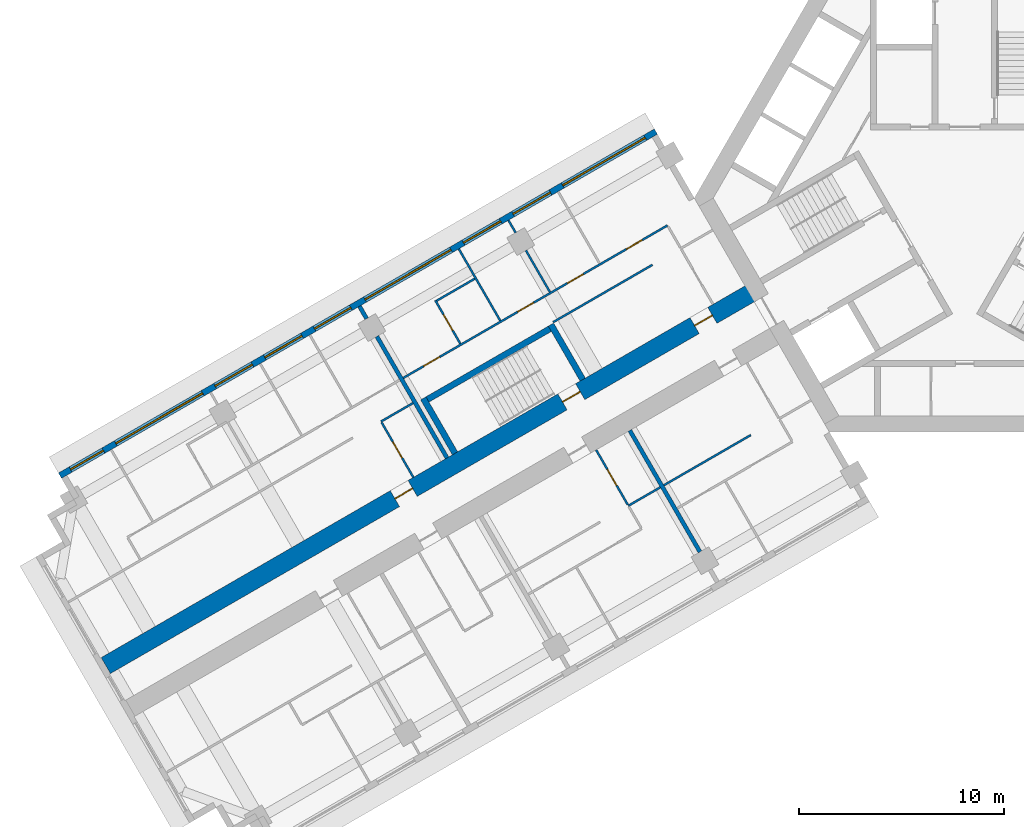
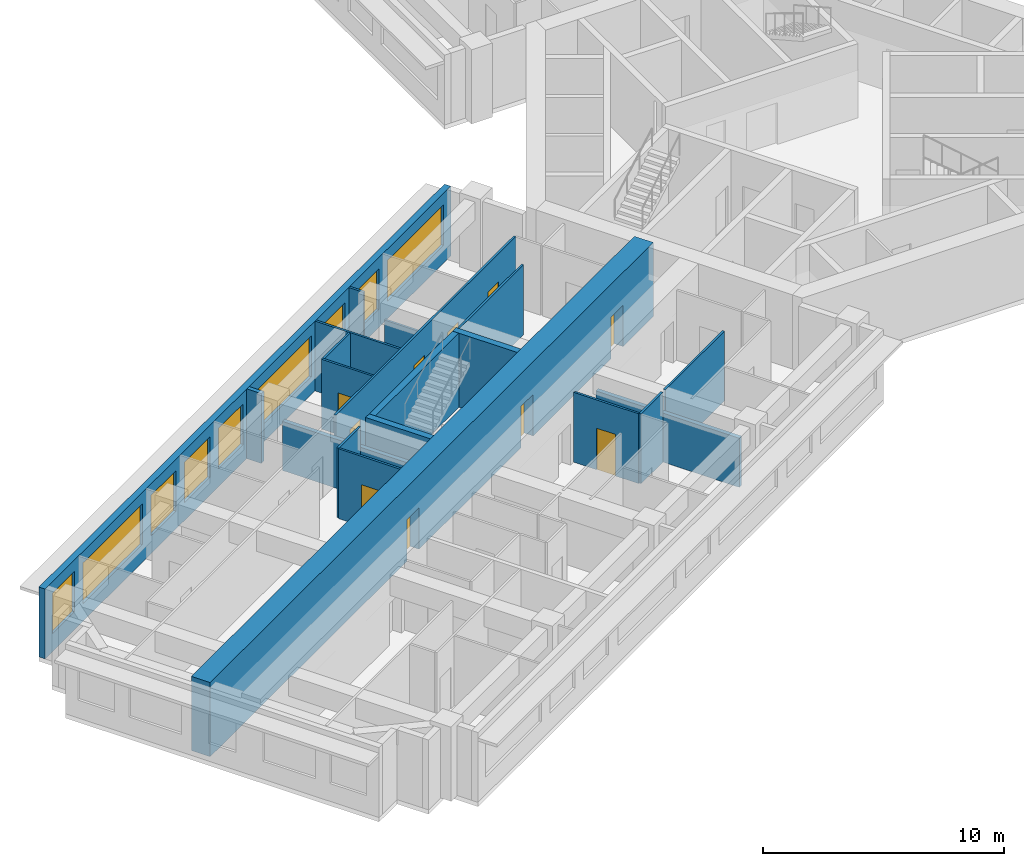
# One storey, part 5 of 14: 20 walls, 10 doors, 9 windows, 19 openings.
"""IFC4 building model written with IfcOpenShell, lengths in metres."""

from ifc_helpers import new_model, si_unit, direction, frame, frame_2d, origin, place, context, subcontext, project, spatial, rectangle, extrude, material, layer, layer_set, type_object, element, fill, save


model = new_model("IFC4")

# Units and contexts
model_context = context("Model", 3, precision=1e-05, world=origin(), true_north=direction((0.0, 1.0)))
body_context = subcontext(model_context, "Body", "Model", "MODEL_VIEW")
ifc_project = project(units=[si_unit("LENGTHUNIT", "METRE"), si_unit("AREAUNIT", "SQUARE_METRE"), si_unit("VOLUMEUNIT", "CUBIC_METRE"), si_unit("PLANEANGLEUNIT", "RADIAN"), si_unit("MASSUNIT", "GRAM", prefix="KILO")], contexts=[model_context])

# Site, building, storey
site_placement = place(None, origin())
site = spatial("IfcSite", under=ifc_project, at=site_placement, CompositionType="ELEMENT")
building_placement = place(site_placement, origin())
building = spatial("IfcBuilding", under=site, at=building_placement, Name="Impinga Residences", CompositionType="ELEMENT")
storey_placement = place(building_placement, frame((0.0, 0.0, 124.75)))
storey = spatial("IfcBuildingStorey", under=building, at=storey_placement, Name="L30", CompositionType="ELEMENT", Elevation=124.75)

# Wall, openings, doors
ifc_material_1 = material(Name="Concrete C60/75", Category="concrete")
ifc_layer_1 = layer(ifc_material_1, 0.89990234375)
ifc_layer_set_1 = layer_set([ifc_layer_1], Name="Concrete C60/75")
wall_type_1 = type_object("IfcWallType", Name="BW2 corridor buttress wall, L24 to L44 900", PredefinedType="SHEAR", material=ifc_layer_set_1)
wall_1_placement = place(storey_placement, frame((-10.153564453125, -4.4765625, 0.0), z_axis=(0.0, 0.0, 1.0), x_axis=(-0.866027614434, -0.499996171023, 0.0)))
wall_1 = element("IfcWall", 1, at=wall_1_placement, inside=storey, type_object=wall_type_1, Name="Corridor wall BW2 WD L30", PredefinedType="SHEAR", context=body_context, shape_type="SweptSolid", body=[
    extrude(rectangle(XDim=36.699951171875, YDim=0.89990234375, at=frame_2d((18.35009765625, 0.0))), origin(), (0.0, 0.0, 1.0), 3.75),
])
opening_1_placement = place(wall_1_placement, frame((9.949951171875, 0.0, 0.0)))
opening_1 = element("IfcOpeningElement", 2, at=opening_1_placement, cuts=wall_1, Name="Opening D5", PredefinedType="OPENING", context=body_context, shape_type="SweptSolid", body=[
    extrude(rectangle(XDim=1.0, YDim=2.10009765625, at=frame_2d((0.5, 1.050048828125))), frame((0.0, 0.4599609375, 0.0), z_axis=(0.0, -1.0, 0.0), x_axis=(1.0, 0.0, 0.0)), (0.0, 0.0, 1.0), 0.919921875),
])
opening_2_placement = place(wall_1_placement, frame((2.5, 0.0, 0.0)))
opening_2 = element("IfcOpeningElement", 3, at=opening_2_placement, cuts=wall_1, Name="Opening D1", PredefinedType="OPENING", context=body_context, shape_type="SweptSolid", body=[
    extrude(rectangle(XDim=1.0, YDim=2.10009765625, at=frame_2d((0.5, 1.050048828125))), frame((0.0, 0.4599609375, 0.0), z_axis=(0.0, -1.0, 0.0), x_axis=(1.0, 0.0, 0.0)), (0.0, 0.0, 1.0), 0.919921875),
])
opening_3_placement = place(wall_1_placement, frame((19.39990234375, 0.0, 0.0)))
opening_3 = element("IfcOpeningElement", 4, at=opening_3_placement, cuts=wall_1, Name="Opening D1", PredefinedType="OPENING", context=body_context, shape_type="SweptSolid", body=[
    extrude(rectangle(XDim=1.0, YDim=2.10009765625, at=frame_2d((0.5, 1.050048828125))), frame((0.0, 0.4599609375, 0.0), z_axis=(0.0, -1.0, 0.0), x_axis=(1.0, 0.0, 0.0)), (0.0, 0.0, 1.0), 0.919921875),
])
ifc_material_2 = material(Name="Timber door set", Category="wood")
door_type_1 = type_object("IfcDoorType", Name="D1 apartment entrance door 1000x2100", OperationType="SINGLE_SWING_LEFT", PredefinedType="DOOR", material=ifc_material_2)
door_1_placement = place(opening_2_placement, origin())
door_1 = element("IfcDoor", 5, at=door_1_placement, inside=storey, type_object=door_type_1, Name="Apartment L30-WF1 entrance", OperationType="SINGLE_SWING_LEFT", OverallHeight=2.10009765625, OverallWidth=1.0, PredefinedType="DOOR", context=body_context, shape_type="SweptSolid", body=[
    extrude(rectangle(XDim=1.0, YDim=2.10009765625, at=frame_2d((0.5, 1.050048828125))), frame((0.0, 0.02490234375, 0.0), z_axis=(0.0, -1.0, 0.0), x_axis=(1.0, 0.0, 0.0)), (0.0, 0.0, 1.0), 0.050048828125),
])
fill(opening_2, door_1)
door_2_placement = place(opening_3_placement, origin())
door_2 = element("IfcDoor", 6, at=door_2_placement, inside=storey, type_object=door_type_1, Name="Apartment L30-WF2 entrance", OperationType="SINGLE_SWING_RIGHT", OverallHeight=2.10009765625, OverallWidth=1.0, PredefinedType="DOOR", context=body_context, shape_type="SweptSolid", body=[
    extrude(rectangle(XDim=1.0, YDim=2.10009765625, at=frame_2d((0.5, 1.050048828125))), frame((0.0, 0.02490234375, 0.0), z_axis=(0.0, -1.0, 0.0), x_axis=(1.0, 0.0, 0.0)), (0.0, 0.0, 1.0), 0.050048828125),
])
fill(opening_3, door_2)
door_type_2 = type_object("IfcDoorType", Name="D5 stair door 1000x2100", OperationType="SINGLE_SWING_LEFT", PredefinedType="DOOR", material=ifc_material_2)
door_3_placement = place(opening_1_placement, origin())
door_3 = element("IfcDoor", 7, at=door_3_placement, inside=storey, type_object=door_type_2, Name="Wing stair door W", OperationType="SINGLE_SWING_LEFT", OverallHeight=2.10009765625, OverallWidth=1.0, PredefinedType="DOOR", context=body_context, shape_type="SweptSolid", body=[
    extrude(rectangle(XDim=1.0, YDim=2.10009765625, at=frame_2d((0.5, 1.050048828125))), frame((0.0, 0.02490234375, 0.0), z_axis=(0.0, -1.0, 0.0), x_axis=(1.0, 0.0, 0.0)), (0.0, 0.0, 1.0), 0.050048828125),
])
fill(opening_1, door_3)

# Wall, openings, windows
ifc_material_3 = material(Name="Terracotta rainscreen on blockwork", Category="masonry")
ifc_layer_2 = layer(ifc_material_3, 0.300048828125)
ifc_layer_set_2 = layer_set([ifc_layer_2], Name="EW1 external wall, terracotta rainscreen on blockwork 300")
wall_type_2 = type_object("IfcWallType", Name="EW1 external wall, terracotta rainscreen on blockwork 300", PredefinedType="SOLIDWALL", material=ifc_layer_set_2)
wall_2_placement = place(storey_placement, frame((-44.17333984375, -13.552490234375, 0.0), z_axis=(0.0, 0.0, 1.0), x_axis=(0.866024291668, 0.500001926238, 0.0)))
wall_2 = element("IfcWall", 8, at=wall_2_placement, inside=storey, type_object=wall_type_2, Name="External wall EW1 L30", PredefinedType="SOLIDWALL", context=body_context, shape_type="SweptSolid", body=[
    extrude(rectangle(XDim=33.599853515625, YDim=0.300048828125, at=frame_2d((16.7998046875, 0.0))), origin(), (0.0, 0.0, 1.0), 3.530029296875),
])
opening_4_placement = place(wall_2_placement, frame((0.60009765625, 0.0, 0.89990234375)))
opening_4 = element("IfcOpeningElement", 9, at=opening_4_placement, cuts=wall_2, Name="Opening W15", PredefinedType="OPENING", context=body_context, shape_type="SweptSolid", body=[
    extrude(rectangle(XDim=1.85009765625, YDim=2.050048828125, at=frame_2d((0.925048828125, 1.02490234375))), frame((0.0, 0.159912109375, 0.0), z_axis=(0.0, -1.0, 0.0), x_axis=(1.0, 0.0, 0.0)), (0.0, 0.0, 1.0), 0.320068359375),
])
opening_5_placement = place(wall_2_placement, frame((3.14990234375, 0.0, 0.89990234375)))
opening_5 = element("IfcOpeningElement", 10, at=opening_5_placement, cuts=wall_2, Name="Opening W16", PredefinedType="OPENING", context=body_context, shape_type="SweptSolid", body=[
    extrude(rectangle(XDim=4.89990234375, YDim=2.050048828125, at=frame_2d((2.449951171875, 1.02490234375))), frame((0.0, 0.159912109375, 0.0), z_axis=(0.0, -1.0, 0.0), x_axis=(1.0, 0.0, 0.0)), (0.0, 0.0, 1.0), 0.320068359375),
])
opening_6_placement = place(wall_2_placement, frame((8.75, 0.0, 0.89990234375)))
opening_6 = element("IfcOpeningElement", 11, at=opening_6_placement, cuts=wall_2, Name="Opening W9", PredefinedType="OPENING", context=body_context, shape_type="SweptSolid", body=[
    extrude(rectangle(XDim=2.10009765625, YDim=2.050048828125, at=frame_2d((1.050048828125, 1.02490234375))), frame((0.0, 0.159912109375, 0.0), z_axis=(0.0, -1.0, 0.0), x_axis=(1.0, 0.0, 0.0)), (0.0, 0.0, 1.0), 0.320068359375),
])
opening_7_placement = place(wall_2_placement, frame((11.550048828125, 0.0, 0.89990234375)))
opening_7 = element("IfcOpeningElement", 12, at=opening_7_placement, cuts=wall_2, Name="Opening W9", PredefinedType="OPENING", context=body_context, shape_type="SweptSolid", body=[
    extrude(rectangle(XDim=2.10009765625, YDim=2.050048828125, at=frame_2d((1.050048828125, 1.02490234375))), frame((0.0, 0.159912109375, 0.0), z_axis=(0.0, -1.0, 0.0), x_axis=(1.0, 0.0, 0.0)), (0.0, 0.0, 1.0), 0.320068359375),
])
opening_8_placement = place(wall_2_placement, frame((14.35009765625, 0.0, 0.89990234375)))
opening_8 = element("IfcOpeningElement", 13, at=opening_8_placement, cuts=wall_2, Name="Opening W14", PredefinedType="OPENING", context=body_context, shape_type="SweptSolid", body=[
    extrude(rectangle(XDim=2.050048828125, YDim=2.050048828125, at=frame_2d((1.02490234375, 1.02490234375))), frame((0.0, 0.159912109375, 0.0), z_axis=(0.0, -1.0, 0.0), x_axis=(1.0, 0.0, 0.0)), (0.0, 0.0, 1.0), 0.320068359375),
])
opening_9_placement = place(wall_2_placement, frame((17.199951171875, 0.0, 0.89990234375)))
opening_9 = element("IfcOpeningElement", 14, at=opening_9_placement, cuts=wall_2, Name="Opening W6", PredefinedType="OPENING", context=body_context, shape_type="SweptSolid", body=[
    extrude(rectangle(XDim=4.85009765625, YDim=2.050048828125, at=frame_2d((2.425048828125, 1.02490234375))), frame((0.0, 0.159912109375, 0.0), z_axis=(0.0, -1.0, 0.0), x_axis=(1.0, 0.0, 0.0)), (0.0, 0.0, 1.0), 0.320068359375),
])
opening_10_placement = place(wall_2_placement, frame((22.75, 0.0, 0.89990234375)))
opening_10 = element("IfcOpeningElement", 15, at=opening_10_placement, cuts=wall_2, Name="Opening W9", PredefinedType="OPENING", context=body_context, shape_type="SweptSolid", body=[
    extrude(rectangle(XDim=2.10009765625, YDim=2.050048828125, at=frame_2d((1.050048828125, 1.02490234375))), frame((0.0, 0.159912109375, 0.0), z_axis=(0.0, -1.0, 0.0), x_axis=(1.0, 0.0, 0.0)), (0.0, 0.0, 1.0), 0.320068359375),
])
opening_11_placement = place(wall_2_placement, frame((25.550048828125, 0.0, 0.89990234375)))
opening_11 = element("IfcOpeningElement", 16, at=opening_11_placement, cuts=wall_2, Name="Opening W9", PredefinedType="OPENING", context=body_context, shape_type="SweptSolid", body=[
    extrude(rectangle(XDim=2.10009765625, YDim=2.050048828125, at=frame_2d((1.050048828125, 1.02490234375))), frame((0.0, 0.159912109375, 0.0), z_axis=(0.0, -1.0, 0.0), x_axis=(1.0, 0.0, 0.0)), (0.0, 0.0, 1.0), 0.320068359375),
])
opening_12_placement = place(wall_2_placement, frame((28.35009765625, 0.0, 0.89990234375)))
opening_12 = element("IfcOpeningElement", 17, at=opening_12_placement, cuts=wall_2, Name="Opening W10", PredefinedType="OPENING", context=body_context, shape_type="SweptSolid", body=[
    extrude(rectangle(XDim=4.64990234375, YDim=2.050048828125, at=frame_2d((2.324951171875, 1.02490234375))), frame((0.0, 0.159912109375, 0.0), z_axis=(0.0, -1.0, 0.0), x_axis=(1.0, 0.0, 0.0)), (0.0, 0.0, 1.0), 0.320068359375),
])
ifc_material_4 = material(Name="Aluminium window, clear double glazing", Category="aluminium")
window_type_1 = type_object("IfcWindowType", Name="W10 ribbon window 4650x2050", PartitioningType="SINGLE_PANEL", PredefinedType="WINDOW", material=ifc_material_4)
window_1_placement = place(opening_12_placement, origin())
window_1 = element("IfcWindow", 18, at=window_1_placement, inside=storey, type_object=window_type_1, Name="Window L30", OverallHeight=2.050048828125, OverallWidth=4.64990234375, PartitioningType="SINGLE_PANEL", PredefinedType="WINDOW", context=body_context, shape_type="SweptSolid", body=[
    extrude(rectangle(XDim=4.64990234375, YDim=2.050048828125, at=frame_2d((2.324951171875, 1.02490234375))), frame((0.0, 0.030029296875, 0.0), z_axis=(0.0, -1.0, 0.0), x_axis=(1.0, 0.0, 0.0)), (0.0, 0.0, 1.0), 0.06005859375),
])
fill(opening_12, window_1)
window_type_2 = type_object("IfcWindowType", Name="W14 ribbon window 2050x2050", PartitioningType="SINGLE_PANEL", PredefinedType="WINDOW", material=ifc_material_4)
window_2_placement = place(opening_8_placement, origin())
window_2 = element("IfcWindow", 19, at=window_2_placement, inside=storey, type_object=window_type_2, Name="Window L30", OverallHeight=2.050048828125, OverallWidth=2.050048828125, PartitioningType="SINGLE_PANEL", PredefinedType="WINDOW", context=body_context, shape_type="SweptSolid", body=[
    extrude(rectangle(XDim=2.050048828125, YDim=2.050048828125, at=frame_2d((1.02490234375, 1.02490234375))), frame((0.0, 0.030029296875, 0.0), z_axis=(0.0, -1.0, 0.0), x_axis=(1.0, 0.0, 0.0)), (0.0, 0.0, 1.0), 0.06005859375),
])
fill(opening_8, window_2)
window_type_3 = type_object("IfcWindowType", Name="W15 ribbon window 1850x2050", PartitioningType="SINGLE_PANEL", PredefinedType="WINDOW", material=ifc_material_4)
window_3_placement = place(opening_4_placement, origin())
window_3 = element("IfcWindow", 20, at=window_3_placement, inside=storey, type_object=window_type_3, Name="Window L30", OverallHeight=2.050048828125, OverallWidth=1.85009765625, PartitioningType="SINGLE_PANEL", PredefinedType="WINDOW", context=body_context, shape_type="SweptSolid", body=[
    extrude(rectangle(XDim=1.85009765625, YDim=2.050048828125, at=frame_2d((0.925048828125, 1.02490234375))), frame((0.0, 0.030029296875, 0.0), z_axis=(0.0, -1.0, 0.0), x_axis=(1.0, 0.0, 0.0)), (0.0, 0.0, 1.0), 0.06005859375),
])
fill(opening_4, window_3)
window_type_4 = type_object("IfcWindowType", Name="W16 ribbon window 4900x2050", PartitioningType="SINGLE_PANEL", PredefinedType="WINDOW", material=ifc_material_4)
window_4_placement = place(opening_5_placement, origin())
window_4 = element("IfcWindow", 21, at=window_4_placement, inside=storey, type_object=window_type_4, Name="Window L30", OverallHeight=2.050048828125, OverallWidth=4.89990234375, PartitioningType="SINGLE_PANEL", PredefinedType="WINDOW", context=body_context, shape_type="SweptSolid", body=[
    extrude(rectangle(XDim=4.89990234375, YDim=2.050048828125, at=frame_2d((2.449951171875, 1.02490234375))), frame((0.0, 0.030029296875, 0.0), z_axis=(0.0, -1.0, 0.0), x_axis=(1.0, 0.0, 0.0)), (0.0, 0.0, 1.0), 0.06005859375),
])
fill(opening_5, window_4)
window_type_5 = type_object("IfcWindowType", Name="W6 ribbon window 4850x2050", PartitioningType="SINGLE_PANEL", PredefinedType="WINDOW", material=ifc_material_4)
window_5_placement = place(opening_9_placement, origin())
window_5 = element("IfcWindow", 22, at=window_5_placement, inside=storey, type_object=window_type_5, Name="Window L30", OverallHeight=2.050048828125, OverallWidth=4.85009765625, PartitioningType="SINGLE_PANEL", PredefinedType="WINDOW", context=body_context, shape_type="SweptSolid", body=[
    extrude(rectangle(XDim=4.85009765625, YDim=2.050048828125, at=frame_2d((2.425048828125, 1.02490234375))), frame((0.0, 0.030029296875, 0.0), z_axis=(0.0, -1.0, 0.0), x_axis=(1.0, 0.0, 0.0)), (0.0, 0.0, 1.0), 0.06005859375),
])
fill(opening_9, window_5)
window_type_6 = type_object("IfcWindowType", Name="W9 ribbon window 2100x2050", PartitioningType="SINGLE_PANEL", PredefinedType="WINDOW", material=ifc_material_4)
window_6_placement = place(opening_6_placement, origin())
window_6 = element("IfcWindow", 23, at=window_6_placement, inside=storey, type_object=window_type_6, Name="Window L30", OverallHeight=2.050048828125, OverallWidth=2.10009765625, PartitioningType="SINGLE_PANEL", PredefinedType="WINDOW", context=body_context, shape_type="SweptSolid", body=[
    extrude(rectangle(XDim=2.10009765625, YDim=2.050048828125, at=frame_2d((1.050048828125, 1.02490234375))), frame((0.0, 0.030029296875, 0.0), z_axis=(0.0, -1.0, 0.0), x_axis=(1.0, 0.0, 0.0)), (0.0, 0.0, 1.0), 0.06005859375),
])
fill(opening_6, window_6)
window_7_placement = place(opening_7_placement, origin())
window_7 = element("IfcWindow", 24, at=window_7_placement, inside=storey, type_object=window_type_6, Name="Window L30", OverallHeight=2.050048828125, OverallWidth=2.10009765625, PartitioningType="SINGLE_PANEL", PredefinedType="WINDOW", context=body_context, shape_type="SweptSolid", body=[
    extrude(rectangle(XDim=2.10009765625, YDim=2.050048828125, at=frame_2d((1.050048828125, 1.02490234375))), frame((0.0, 0.030029296875, 0.0), z_axis=(0.0, -1.0, 0.0), x_axis=(1.0, 0.0, 0.0)), (0.0, 0.0, 1.0), 0.06005859375),
])
fill(opening_7, window_7)
window_8_placement = place(opening_10_placement, origin())
window_8 = element("IfcWindow", 25, at=window_8_placement, inside=storey, type_object=window_type_6, Name="Window L30", OverallHeight=2.050048828125, OverallWidth=2.10009765625, PartitioningType="SINGLE_PANEL", PredefinedType="WINDOW", context=body_context, shape_type="SweptSolid", body=[
    extrude(rectangle(XDim=2.10009765625, YDim=2.050048828125, at=frame_2d((1.050048828125, 1.02490234375))), frame((0.0, 0.030029296875, 0.0), z_axis=(0.0, -1.0, 0.0), x_axis=(1.0, 0.0, 0.0)), (0.0, 0.0, 1.0), 0.06005859375),
])
fill(opening_10, window_8)
window_9_placement = place(opening_11_placement, origin())
window_9 = element("IfcWindow", 26, at=window_9_placement, inside=storey, type_object=window_type_6, Name="Window L30", OverallHeight=2.050048828125, OverallWidth=2.10009765625, PartitioningType="SINGLE_PANEL", PredefinedType="WINDOW", context=body_context, shape_type="SweptSolid", body=[
    extrude(rectangle(XDim=2.10009765625, YDim=2.050048828125, at=frame_2d((1.050048828125, 1.02490234375))), frame((0.0, 0.030029296875, 0.0), z_axis=(0.0, -1.0, 0.0), x_axis=(1.0, 0.0, 0.0)), (0.0, 0.0, 1.0), 0.06005859375),
])
fill(opening_11, window_9)

# Walls
ifc_material_5 = material(Name="Gypsum board on steel studs", Category="steel")
ifc_layer_3 = layer(ifc_material_5, 0.10009765625)
ifc_layer_set_3 = layer_set([ifc_layer_3], Name="Gypsum board on steel studs")
wall_type_3 = type_object("IfcWallType", Name="IP1 partition 100", PredefinedType="PARTITIONING", material=ifc_layer_set_3)
wall_3_placement = place(storey_placement, frame((-10.444580078125, -11.57275390625, 0.0), z_axis=(0.0, 0.0, 1.0), x_axis=(-0.866023786258, -0.500002801628, 0.0)))
element("IfcWall", 27, at=wall_3_placement, inside=storey, type_object=wall_type_3, Name="Partition L30-WA1:DIV1", PredefinedType="PARTITIONING", context=body_context, shape_type="SweptSolid", body=[
    extrude(rectangle(XDim=4.89990234375, YDim=0.10009765625, at=frame_2d((2.449951171875, 0.0))), origin(), (0.0, 0.0, 1.0), 3.530029296875),
])
wall_4_placement = place(storey_placement, frame((-14.861328125, -14.122802734375, 0.0), z_axis=(0.0, 0.0, 1.0), x_axis=(-0.866047807691, -0.499961193289, 0.0)))
element("IfcWall", 28, at=wall_4_placement, inside=storey, type_object=wall_type_3, Name="Partition L30-WA2:DIV0", PredefinedType="PARTITIONING", context=body_context, shape_type="SweptSolid", body=[
    extrude(rectangle(XDim=1.800048828125, YDim=0.10009765625, at=frame_2d((0.89990234375, 0.0))), origin(), (0.0, 0.0, 1.0), 3.530029296875),
])

# Wall, opening, door
wall_5_placement = place(storey_placement, frame((-17.9951171875, -12.294677734375, 0.0), z_axis=(0.0, 0.0, 1.0), x_axis=(0.49999285859, -0.86602952684, 0.0)))
wall_5 = element("IfcWall", 29, at=wall_5_placement, inside=storey, type_object=wall_type_3, Name="Partition L30-WA2:IB1", PredefinedType="PARTITIONING", context=body_context, shape_type="SweptSolid", body=[
    extrude(rectangle(XDim=3.10009765625, YDim=0.10009765625, at=frame_2d((1.550048828125, 0.0))), origin(), (0.0, 0.0, 1.0), 3.530029296875),
])
opening_13_placement = place(wall_5_placement, frame((1.10009765625, 0.0, 0.0)))
opening_13 = element("IfcOpeningElement", 30, at=opening_13_placement, cuts=wall_5, Name="Opening D2", PredefinedType="OPENING", context=body_context, shape_type="SweptSolid", body=[
    extrude(rectangle(XDim=0.89990234375, YDim=2.10009765625, at=frame_2d((0.449951171875, 1.050048828125))), frame((0.0, 0.06005859375, 0.0), z_axis=(0.0, -1.0, 0.0), x_axis=(1.0, 0.0, 0.0)), (0.0, 0.0, 1.0), 0.1201171875),
])
door_type_3 = type_object("IfcDoorType", Name="D2 internal door 900x2100", OperationType="SINGLE_SWING_LEFT", PredefinedType="DOOR", material=ifc_material_2)
door_4_placement = place(opening_13_placement, origin())
door_4 = element("IfcDoor", 31, at=door_4_placement, inside=storey, type_object=door_type_3, Name="Apartment L30-WA2 bathroom door", OperationType="SINGLE_SWING_LEFT", OverallHeight=2.10009765625, OverallWidth=0.89990234375, PredefinedType="DOOR", context=body_context, shape_type="SweptSolid", body=[
    extrude(rectangle(XDim=0.89990234375, YDim=2.10009765625, at=frame_2d((0.449951171875, 1.050048828125))), frame((0.0, 0.02490234375, 0.0), z_axis=(0.0, -1.0, 0.0), x_axis=(1.0, 0.0, 0.0)), (0.0, 0.0, 1.0), 0.050048828125),
])
fill(opening_13, door_4)

# Wall
wall_6_placement = place(storey_placement, frame((-15.244384765625, -3.2587890625, 0.0), z_axis=(0.0, 0.0, 1.0), x_axis=(-0.866026594901, -0.49999793692, 0.0)))
element("IfcWall", 32, at=wall_6_placement, inside=storey, type_object=wall_type_3, Name="Partition L30-WF1:DIV1", PredefinedType="PARTITIONING", context=body_context, shape_type="SweptSolid", body=[
    extrude(rectangle(XDim=5.60009765625, YDim=0.10009765625, at=frame_2d((2.800048828125, 0.0))), origin(), (0.0, 0.0, 1.0), 3.530029296875),
])

# Wall, openings, doors
wall_7_placement = place(storey_placement, frame((-14.5087890625, -1.3330078125, 0.0), z_axis=(0.0, 0.0, 1.0), x_axis=(-0.866027327438, -0.499996668119, 0.0)))
wall_7 = element("IfcWall", 33, at=wall_7_placement, inside=storey, type_object=wall_type_3, Name="Partition L30-WF1:STRIP", PredefinedType="PARTITIONING", context=body_context, shape_type="SweptSolid", body=[
    extrude(rectangle(XDim=14.89990234375, YDim=0.10009765625, at=frame_2d((7.449951171875, 0.0))), origin(), (0.0, 0.0, 1.0), 3.530029296875),
])
opening_14_placement = place(wall_7_placement, frame((1.425048828125, 0.0, 0.0)))
opening_14 = element("IfcOpeningElement", 34, at=opening_14_placement, cuts=wall_7, Name="Opening D2", PredefinedType="OPENING", context=body_context, shape_type="SweptSolid", body=[
    extrude(rectangle(XDim=0.89990234375, YDim=2.10009765625, at=frame_2d((0.449951171875, 1.050048828125))), frame((0.0, 0.06005859375, 0.0), z_axis=(0.0, -1.0, 0.0), x_axis=(1.0, 0.0, 0.0)), (0.0, 0.0, 1.0), 0.1201171875),
])
opening_15_placement = place(wall_7_placement, frame((4.75, 0.0, 0.0)))
opening_15 = element("IfcOpeningElement", 35, at=opening_15_placement, cuts=wall_7, Name="Opening D2", PredefinedType="OPENING", context=body_context, shape_type="SweptSolid", body=[
    extrude(rectangle(XDim=0.89990234375, YDim=2.10009765625, at=frame_2d((0.449951171875, 1.050048828125))), frame((0.0, 0.06005859375, 0.0), z_axis=(0.0, -1.0, 0.0), x_axis=(1.0, 0.0, 0.0)), (0.0, 0.0, 1.0), 0.1201171875),
])
opening_16_placement = place(wall_7_placement, frame((7.550048828125, 0.0, 0.0)))
opening_16 = element("IfcOpeningElement", 36, at=opening_16_placement, cuts=wall_7, Name="Opening D2", PredefinedType="OPENING", context=body_context, shape_type="SweptSolid", body=[
    extrude(rectangle(XDim=0.89990234375, YDim=2.10009765625, at=frame_2d((0.449951171875, 1.050048828125))), frame((0.0, 0.06005859375, 0.0), z_axis=(0.0, -1.0, 0.0), x_axis=(1.0, 0.0, 0.0)), (0.0, 0.0, 1.0), 0.1201171875),
])
opening_17_placement = place(wall_7_placement, frame((12.85009765625, 0.0, 0.0)))
opening_17 = element("IfcOpeningElement", 37, at=opening_17_placement, cuts=wall_7, Name="Opening D2", PredefinedType="OPENING", context=body_context, shape_type="SweptSolid", body=[
    extrude(rectangle(XDim=0.89990234375, YDim=2.10009765625, at=frame_2d((0.449951171875, 1.050048828125))), frame((0.0, 0.06005859375, 0.0), z_axis=(0.0, -1.0, 0.0), x_axis=(1.0, 0.0, 0.0)), (0.0, 0.0, 1.0), 0.1201171875),
])
door_5_placement = place(opening_14_placement, origin())
door_5 = element("IfcDoor", 38, at=door_5_placement, inside=storey, type_object=door_type_3, Name="Apartment L30-WF1 room door", OperationType="SINGLE_SWING_LEFT", OverallHeight=2.10009765625, OverallWidth=0.89990234375, PredefinedType="DOOR", context=body_context, shape_type="SweptSolid", body=[
    extrude(rectangle(XDim=0.89990234375, YDim=2.10009765625, at=frame_2d((0.449951171875, 1.050048828125))), frame((0.0, 0.02490234375, 0.0), z_axis=(0.0, -1.0, 0.0), x_axis=(1.0, 0.0, 0.0)), (0.0, 0.0, 1.0), 0.050048828125),
])
fill(opening_14, door_5)
door_6_placement = place(opening_15_placement, origin())
door_6 = element("IfcDoor", 39, at=door_6_placement, inside=storey, type_object=door_type_3, Name="Apartment L30-WF1 room door", OperationType="SINGLE_SWING_LEFT", OverallHeight=2.10009765625, OverallWidth=0.89990234375, PredefinedType="DOOR", context=body_context, shape_type="SweptSolid", body=[
    extrude(rectangle(XDim=0.89990234375, YDim=2.10009765625, at=frame_2d((0.449951171875, 1.050048828125))), frame((0.0, 0.02490234375, 0.0), z_axis=(0.0, -1.0, 0.0), x_axis=(1.0, 0.0, 0.0)), (0.0, 0.0, 1.0), 0.050048828125),
])
fill(opening_15, door_6)
door_7_placement = place(opening_16_placement, origin())
door_7 = element("IfcDoor", 40, at=door_7_placement, inside=storey, type_object=door_type_3, Name="Apartment L30-WF1 room door", OperationType="SINGLE_SWING_RIGHT", OverallHeight=2.10009765625, OverallWidth=0.89990234375, PredefinedType="DOOR", context=body_context, shape_type="SweptSolid", body=[
    extrude(rectangle(XDim=0.89990234375, YDim=2.10009765625, at=frame_2d((0.449951171875, 1.050048828125))), frame((0.0, 0.02490234375, 0.0), z_axis=(0.0, -1.0, 0.0), x_axis=(1.0, 0.0, 0.0)), (0.0, 0.0, 1.0), 0.050048828125),
])
fill(opening_16, door_7)
door_8_placement = place(opening_17_placement, origin())
door_8 = element("IfcDoor", 41, at=door_8_placement, inside=storey, type_object=door_type_3, Name="Apartment L30-WF1 room door", OperationType="SINGLE_SWING_RIGHT", OverallHeight=2.10009765625, OverallWidth=0.89990234375, PredefinedType="DOOR", context=body_context, shape_type="SweptSolid", body=[
    extrude(rectangle(XDim=0.89990234375, YDim=2.10009765625, at=frame_2d((0.449951171875, 1.050048828125))), frame((0.0, 0.02490234375, 0.0), z_axis=(0.0, -1.0, 0.0), x_axis=(1.0, 0.0, 0.0)), (0.0, 0.0, 1.0), 0.050048828125),
])
fill(opening_17, door_8)

# Walls
wall_8_placement = place(storey_placement, frame((-20.24951171875, -4.589599609375, 0.0), z_axis=(0.0, 0.0, 1.0), x_axis=(-0.500016218704, 0.866016039709, 0.0)))
element("IfcWall", 42, at=wall_8_placement, inside=storey, type_object=wall_type_3, Name="Partition L30-WF1:OB2", PredefinedType="PARTITIONING", context=body_context, shape_type="SweptSolid", body=[
    extrude(rectangle(XDim=2.35009765625, YDim=0.10009765625, at=frame_2d((1.175048828125, 0.0))), origin(), (0.0, 0.0, 1.0), 2.47998046875),
])
wall_9_placement = place(storey_placement, frame((-21.924560546875, -1.6884765625, 0.0), z_axis=(0.0, 0.0, 1.0), x_axis=(-0.500114896893, 0.865959057869, 0.0)))
element("IfcWall", 43, at=wall_9_placement, inside=storey, type_object=wall_type_3, Name="Partition L30-WF1:OB2b", PredefinedType="PARTITIONING", context=body_context, shape_type="SweptSolid", body=[
    extrude(rectangle(XDim=0.699951171875, YDim=0.10009765625, at=frame_2d((0.35009765625, 0.0))), origin(), (0.0, 0.0, 1.0), 3.530029296875),
])
wall_10_placement = place(storey_placement, frame((-22.674560546875, -5.98974609375, 0.0), z_axis=(0.0, 0.0, 1.0), x_axis=(-0.499990325971, 0.866030989016, 0.0)))
element("IfcWall", 44, at=wall_10_placement, inside=storey, type_object=wall_type_3, Name="Partition L30-WF1:OB3", PredefinedType="PARTITIONING", context=body_context, shape_type="SweptSolid", body=[
    extrude(rectangle(XDim=4.0498046875, YDim=0.10009765625, at=frame_2d((2.02490234375, 0.0))), origin(), (0.0, 0.0, 1.0), 3.530029296875),
])

# Wall, opening, door
wall_11_placement = place(storey_placement, frame((-24.623046875, -7.11474609375, 0.0), z_axis=(0.0, 0.0, 1.0), x_axis=(-0.500018594424, 0.866014668023, 0.0)))
wall_11 = element("IfcWall", 45, at=wall_11_placement, inside=storey, type_object=wall_type_3, Name="Partition L30-WF1:EN1", PredefinedType="PARTITIONING", context=body_context, shape_type="SweptSolid", body=[
    extrude(rectangle(XDim=2.4501953125, YDim=0.10009765625, at=frame_2d((1.22509765625, 0.0))), origin(), (0.0, 0.0, 1.0), 3.530029296875),
])
opening_18_placement = place(wall_11_placement, frame((0.75, 0.0, 0.0)))
opening_18 = element("IfcOpeningElement", 46, at=opening_18_placement, cuts=wall_11, Name="Opening D2", PredefinedType="OPENING", context=body_context, shape_type="SweptSolid", body=[
    extrude(rectangle(XDim=0.89990234375, YDim=2.10009765625, at=frame_2d((0.449951171875, 1.050048828125))), frame((0.0, 0.06005859375, 0.0), z_axis=(0.0, -1.0, 0.0), x_axis=(1.0, 0.0, 0.0)), (0.0, 0.0, 1.0), 0.1201171875),
])
door_9_placement = place(opening_18_placement, origin())
door_9 = element("IfcDoor", 47, at=door_9_placement, inside=storey, type_object=door_type_3, Name="Apartment L30-WF1 en-suite door", OperationType="SINGLE_SWING_LEFT", OverallHeight=2.10009765625, OverallWidth=0.89990234375, PredefinedType="DOOR", context=body_context, shape_type="SweptSolid", body=[
    extrude(rectangle(XDim=0.89990234375, YDim=2.10009765625, at=frame_2d((0.449951171875, 1.050048828125))), frame((0.0, 0.02490234375, 0.0), z_axis=(0.0, -1.0, 0.0), x_axis=(1.0, 0.0, 0.0)), (0.0, 0.0, 1.0), 0.050048828125),
])
fill(opening_18, door_9)

# Walls
wall_12_placement = place(storey_placement, frame((-23.917724609375, -3.936279296875, 0.0), z_axis=(0.0, 0.0, 1.0), x_axis=(-0.866047553582, -0.499961633463, 0.0)))
element("IfcWall", 48, at=wall_12_placement, inside=storey, type_object=wall_type_3, Name="Partition L30-WF1:EN2", PredefinedType="PARTITIONING", context=body_context, shape_type="SweptSolid", body=[
    extrude(rectangle(XDim=2.150146484375, YDim=0.10009765625, at=frame_2d((1.0751953125, 0.0))), origin(), (0.0, 0.0, 1.0), 3.530029296875),
])
wall_13_placement = place(storey_placement, frame((-26.935791015625, -10.0087890625, 0.0), z_axis=(0.0, 0.0, 1.0), x_axis=(-0.865989075817, -0.500062916607, 0.0)))
element("IfcWall", 49, at=wall_13_placement, inside=storey, type_object=wall_type_3, Name="Partition L30-WF2:DIV0", PredefinedType="PARTITIONING", context=body_context, shape_type="SweptSolid", body=[
    extrude(rectangle(XDim=1.800048828125, YDim=0.10009765625, at=frame_2d((0.89990234375, 0.0))), origin(), (0.0, 0.0, 1.0), 3.530029296875),
])

# Wall, opening, door
wall_14_placement = place(storey_placement, frame((-26.919677734375, -13.63671875, 0.0), z_axis=(0.0, 0.0, 1.0), x_axis=(-0.500026960575, 0.86600983753, 0.0)))
wall_14 = element("IfcWall", 50, at=wall_14_placement, inside=storey, type_object=wall_type_3, Name="Partition L30-WF2:IB1", PredefinedType="PARTITIONING", context=body_context, shape_type="SweptSolid", body=[
    extrude(rectangle(XDim=3.099853515625, YDim=0.10009765625, at=frame_2d((1.5498046875, 0.0))), origin(), (0.0, 0.0, 1.0), 3.530029296875),
])
opening_19_placement = place(wall_14_placement, frame((1.10009765625, 0.0, 0.0)))
opening_19 = element("IfcOpeningElement", 51, at=opening_19_placement, cuts=wall_14, Name="Opening D2", PredefinedType="OPENING", context=body_context, shape_type="SweptSolid", body=[
    extrude(rectangle(XDim=0.89990234375, YDim=2.10009765625, at=frame_2d((0.449951171875, 1.050048828125))), frame((0.0, 0.06005859375, 0.0), z_axis=(0.0, -1.0, 0.0), x_axis=(1.0, 0.0, 0.0)), (0.0, 0.0, 1.0), 0.1201171875),
])
door_10_placement = place(opening_19_placement, origin())
door_10 = element("IfcDoor", 52, at=door_10_placement, inside=storey, type_object=door_type_3, Name="Apartment L30-WF2 bathroom door", OperationType="SINGLE_SWING_LEFT", OverallHeight=2.10009765625, OverallWidth=0.89990234375, PredefinedType="DOOR", context=body_context, shape_type="SweptSolid", body=[
    extrude(rectangle(XDim=0.89990234375, YDim=2.10009765625, at=frame_2d((0.449951171875, 1.050048828125))), frame((0.0, 0.02490234375, 0.0), z_axis=(0.0, -1.0, 0.0), x_axis=(1.0, 0.0, 0.0)), (0.0, 0.0, 1.0), 0.050048828125),
])
fill(opening_19, door_10)

# Walls
ifc_material_6 = material(Name="Concrete blockwork", Category="masonry")
ifc_layer_4 = layer(ifc_material_6, 0.199951171875)
ifc_layer_set_4 = layer_set([ifc_layer_4], Name="PW1 party wall between apartments 200")
wall_type_4 = type_object("IfcWallType", Name="PW1 party wall between apartments 200", PredefinedType="SOLIDWALL", material=ifc_layer_set_4)
wall_15_placement = place(storey_placement, frame((-16.349609375, -11.3447265625, 0.0), z_axis=(0.0, 0.0, 1.0), x_axis=(0.499999086063, -0.866025931445, 0.0)))
element("IfcWall", 53, at=wall_15_placement, inside=storey, type_object=wall_type_4, Name="Party wall between apartments L30-WA1:PARTY", PredefinedType="SOLIDWALL", context=body_context, shape_type="SweptSolid", body=[
    extrude(rectangle(XDim=6.85009765625, YDim=0.199951171875, at=frame_2d((3.425048828125, 0.0))), origin(), (0.0, 0.0, 1.0), 2.47998046875),
])
wall_16_placement = place(storey_placement, frame((-25.274169921875, -12.686767578125, 0.0), z_axis=(0.0, 0.0, 1.0), x_axis=(-0.500014519185, 0.866017020967, 0.0)))
element("IfcWall", 54, at=wall_16_placement, inside=storey, type_object=wall_type_4, Name="Party wall between apartments L30-WF1:PARTY", PredefinedType="SOLIDWALL", context=body_context, shape_type="SweptSolid", body=[
    extrude(rectangle(XDim=6.849853515625, YDim=0.199951171875, at=frame_2d((3.4248046875, 0.0))), origin(), (0.0, 0.0, 1.0), 2.47998046875),
])
wall_17_placement = place(storey_placement, frame((-29.19921875, -5.888427734375, 0.0), z_axis=(0.0, 0.0, 1.0), x_axis=(-0.500114896893, 0.865959057869, 0.0)))
element("IfcWall", 55, at=wall_17_placement, inside=storey, type_object=wall_type_4, Name="Party wall between apartments L30-WF1:PARTYb", PredefinedType="SOLIDWALL", context=body_context, shape_type="SweptSolid", body=[
    extrude(rectangle(XDim=0.699951171875, YDim=0.199951171875, at=frame_2d((0.35009765625, 0.0))), origin(), (0.0, 0.0, 1.0), 3.530029296875),
])
ifc_layer_5 = layer(ifc_material_1, 0.300048828125)
ifc_layer_set_5 = layer_set([ifc_layer_5], Name="Concrete C60/75")
wall_type_5 = type_object("IfcWallType", Name="SE1 wing stair enclosure wall 300", PredefinedType="SOLIDWALL", material=ifc_layer_set_5)
wall_18_placement = place(storey_placement, frame((-18.649169921875, -8.86181640625, 0.0), z_axis=(0.0, 0.0, 1.0), x_axis=(-0.500026960575, 0.86600983753, 0.0)))
element("IfcWall", 56, at=wall_18_placement, inside=storey, type_object=wall_type_5, Name="Stair enclosure wall SE1 W END0 L30", PredefinedType="SOLIDWALL", context=body_context, shape_type="SweptSolid", body=[
    extrude(rectangle(XDim=3.099853515625, YDim=0.300048828125, at=frame_2d((1.5498046875, 0.0))), origin(), (0.0, 0.0, 1.0), 3.75),
])
wall_19_placement = place(storey_placement, frame((-24.884521484375, -12.4619140625, 0.0), z_axis=(0.0, 0.0, 1.0), x_axis=(-0.49999285859, 0.86602952684, 0.0)))
element("IfcWall", 57, at=wall_19_placement, inside=storey, type_object=wall_type_5, Name="Stair enclosure wall SE1 W END1 L30", PredefinedType="SOLIDWALL", context=body_context, shape_type="SweptSolid", body=[
    extrude(rectangle(XDim=3.10009765625, YDim=0.300048828125, at=frame_2d((1.550048828125, 0.0))), origin(), (0.0, 0.0, 1.0), 3.75),
])
wall_20_placement = place(storey_placement, frame((-20.254150390625, -6.382080078125, 0.0), z_axis=(0.0, 0.0, 1.0), x_axis=(-0.866020008033, -0.500009345598, 0.0)))
element("IfcWall", 58, at=wall_20_placement, inside=storey, type_object=wall_type_5, Name="Stair enclosure wall SE1 W OUT L30", PredefinedType="SOLIDWALL", context=body_context, shape_type="SweptSolid", body=[
    extrude(rectangle(XDim=6.899658203125, YDim=0.300048828125, at=frame_2d((3.44970703125, 0.0))), origin(), (0.0, 0.0, 1.0), 3.75),
])

save(model, "model.ifc")
